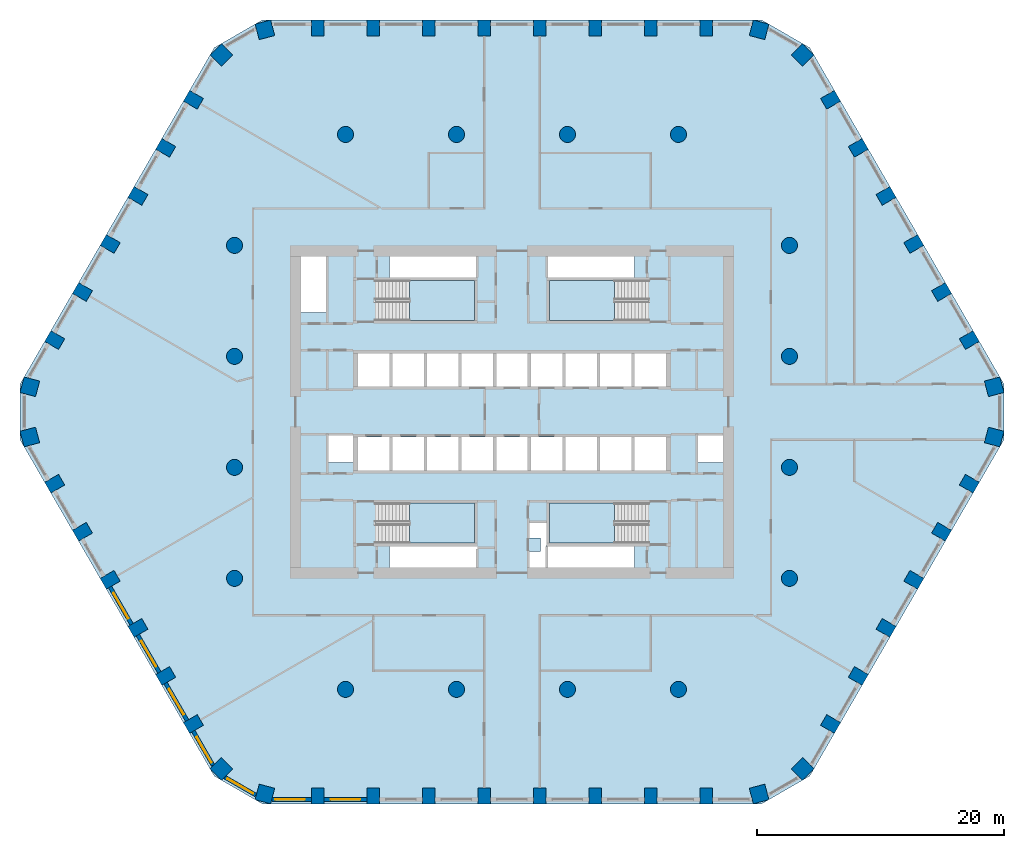
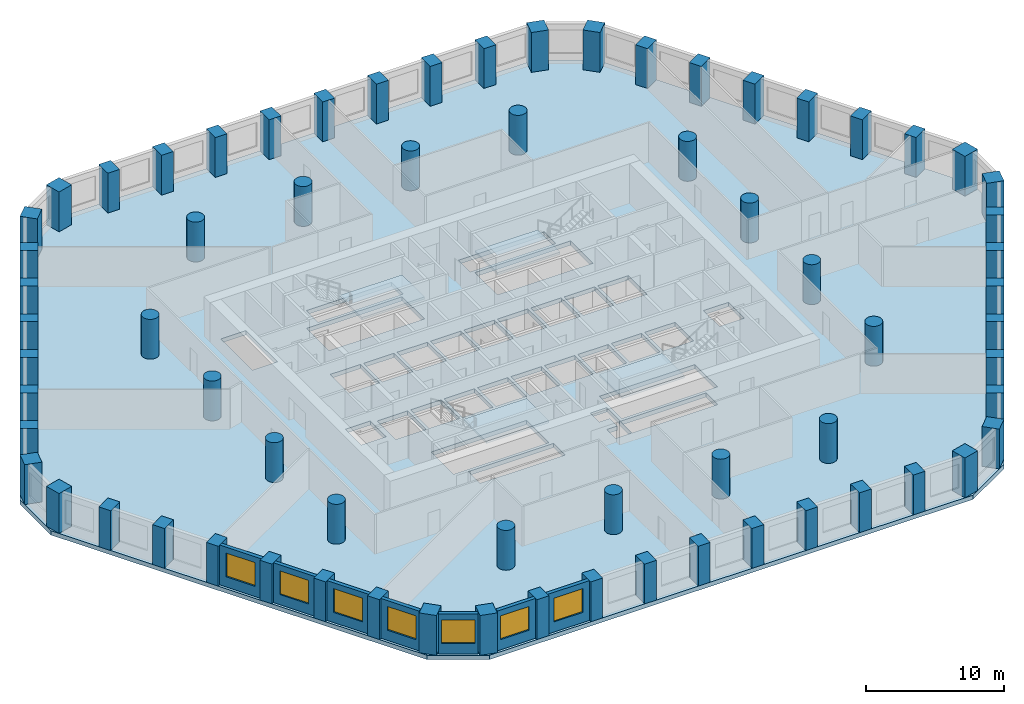
# One storey, part 1 of 10: 68 columns, 7 walls, 7 windows, 5 slabs, 7 openings, 4 elements without a shape of their own.
"""IFC4 building model written with IfcOpenShell, lengths in metres."""

from ifc_helpers import new_model, si_unit, direction, frame, frame_2d, origin, origin_2d, place, context, subcontext, project, spatial, polyline, rectangle, circle, outline, extrude, material, layer, layer_set, material_profile, profile_set, type_object, element, fill, aggregate, save


model = new_model("IFC4")

# Units and contexts
model_context = context("Model", 3, precision=1e-05, world=origin(), true_north=direction((0.0, 1.0)))
body_context = subcontext(model_context, "Body", "Model", "MODEL_VIEW")
ifc_project = project(units=[si_unit("LENGTHUNIT", "METRE"), si_unit("AREAUNIT", "SQUARE_METRE"), si_unit("VOLUMEUNIT", "CUBIC_METRE"), si_unit("PLANEANGLEUNIT", "RADIAN"), si_unit("MASSUNIT", "GRAM", prefix="KILO")], contexts=[model_context])

# Site, building, storey
site_placement = place(None, origin())
site = spatial("IfcSite", under=ifc_project, at=site_placement, CompositionType="ELEMENT")
building_placement = place(site_placement, origin())
building = spatial("IfcBuilding", under=site, at=building_placement, Name="Dhurran Vertical Campus", CompositionType="ELEMENT")
storey_placement = place(building_placement, frame((0.0, 0.0, 89.10009765625)))
storey = spatial("IfcBuildingStorey", under=building, at=storey_placement, Name="L21", CompositionType="ELEMENT", Elevation=89.10009765625)

# Columns
ifc_material_1 = material(Name="Concrete C60/75", Category="concrete")
ifc_material_profile_1 = material_profile(ifc_material_1, rectangle(XDim=1.0, YDim=1.300048828125, at=origin_2d()), Name="RC 1000x1300")
ifc_profile_set_1 = profile_set([ifc_material_profile_1], Name="Concrete C60/75")
column_type_1 = type_object("IfcColumnType", Name="FR COL RC 1000x1300 C60/75", PredefinedType="COLUMN", material=ifc_profile_set_1)
for number, where, z_axis, x_axis, name in (
    (1, (-15.75, -31.1298828125, 0.0), (0.0, 0.0, 1.0), (1.0, 0.0, 0.0), "Perimeter pier PP2.01"),
    (2, (-11.25, -31.1298828125, 0.0), (0.0, 0.0, 1.0), (1.0, 0.0, 0.0), "Perimeter pier PP2.02"),
    (3, (-6.75, -31.1298828125, 0.0), (0.0, 0.0, 1.0), (1.0, 0.0, 0.0), "Perimeter pier PP2.03"),
    (4, (-2.25, -31.1298828125, 0.0), (0.0, 0.0, 1.0), (1.0, 0.0, 0.0), "Perimeter pier PP2.04"),
    (5, (2.25, -31.1298828125, 0.0), (0.0, 0.0, 1.0), (1.0, 0.0, 0.0), "Perimeter pier PP2.05"),
    (6, (6.75, -31.1298828125, 0.0), (0.0, 0.0, 1.0), (1.0, 0.0, 0.0), "Perimeter pier PP2.06"),
    (7, (11.25, -31.1298828125, 0.0), (0.0, 0.0, 1.0), (1.0, 0.0, 0.0), "Perimeter pier PP2.07"),
    (8, (15.75, -31.1298828125, 0.0), (0.0, 0.0, 1.0), (1.0, 0.0, 0.0), "Perimeter pier PP2.08"),
    (9, (25.834228515625, -25.3076171875, 0.0), (0.0, 0.0, 1.0), (0.5, 0.866025403784, 0.0), "Perimeter pier PP2.11"),
    (10, (28.084228515625, -21.41064453125, 0.0), (0.0, 0.0, 1.0), (0.5, 0.866025403784, 0.0), "Perimeter pier PP2.12"),
    (11, (30.334228515625, -17.513427734375, 0.0), (0.0, 0.0, 1.0), (0.5, 0.866025403784, 0.0), "Perimeter pier PP2.13"),
    (12, (32.584228515625, -13.6162109375, 0.0), (0.0, 0.0, 1.0), (0.5, 0.866025403784, 0.0), "Perimeter pier PP2.14"),
    (13, (34.834228515625, -9.71923828125, 0.0), (0.0, 0.0, 1.0), (0.5, 0.866025403784, 0.0), "Perimeter pier PP2.15"),
    (14, (37.084228515625, -5.822021484375, 0.0), (0.0, 0.0, 1.0), (0.5, 0.866025403784, 0.0), "Perimeter pier PP2.16"),
    (15, (37.084228515625, 5.822021484375, 0.0), (0.0, 0.0, 1.0), (-0.5, 0.866025403784, 0.0), "Perimeter pier PP2.19"),
    (16, (34.834228515625, 9.71923828125, 0.0), (0.0, 0.0, 1.0), (-0.5, 0.866025403784, 0.0), "Perimeter pier PP2.20"),
    (17, (32.584228515625, 13.6162109375, 0.0), (0.0, 0.0, 1.0), (-0.5, 0.866025403784, 0.0), "Perimeter pier PP2.21"),
    (18, (30.334228515625, 17.513427734375, 0.0), (0.0, 0.0, 1.0), (-0.5, 0.866025403784, 0.0), "Perimeter pier PP2.22"),
    (19, (28.084228515625, 21.41064453125, 0.0), (0.0, 0.0, 1.0), (-0.5, 0.866025403784, 0.0), "Perimeter pier PP2.23"),
    (20, (25.834228515625, 25.3076171875, 0.0), (0.0, 0.0, 1.0), (-0.5, 0.866025403784, 0.0), "Perimeter pier PP2.24"),
    (21, (15.75, 31.1298828125, 0.0), (0.0, 0.0, 1.0), (-1.0, 0.0, 0.0), "Perimeter pier PP2.27"),
    (22, (11.25, 31.1298828125, 0.0), (0.0, 0.0, 1.0), (-1.0, 0.0, 0.0), "Perimeter pier PP2.28"),
    (23, (6.75, 31.1298828125, 0.0), (0.0, 0.0, 1.0), (-1.0, 0.0, 0.0), "Perimeter pier PP2.29"),
    (24, (2.25, 31.1298828125, 0.0), (0.0, 0.0, 1.0), (-1.0, 0.0, 0.0), "Perimeter pier PP2.30"),
    (25, (-2.25, 31.1298828125, 0.0), (0.0, 0.0, 1.0), (-1.0, 0.0, 0.0), "Perimeter pier PP2.31"),
    (26, (-6.75, 31.1298828125, 0.0), (0.0, 0.0, 1.0), (-1.0, 0.0, 0.0), "Perimeter pier PP2.32"),
    (27, (-11.25, 31.1298828125, 0.0), (0.0, 0.0, 1.0), (-1.0, 0.0, 0.0), "Perimeter pier PP2.33"),
    (28, (-15.75, 31.1298828125, 0.0), (0.0, 0.0, 1.0), (-1.0, 0.0, 0.0), "Perimeter pier PP2.34"),
    (29, (-25.834228515625, 25.3076171875, 0.0), (0.0, 0.0, 1.0), (-0.5, -0.866025403784, 0.0), "Perimeter pier PP2.37"),
    (30, (-28.084228515625, 21.41064453125, 0.0), (0.0, 0.0, 1.0), (-0.5, -0.866025403784, 0.0), "Perimeter pier PP2.38"),
    (31, (-30.334228515625, 17.513427734375, 0.0), (0.0, 0.0, 1.0), (-0.5, -0.866025403784, 0.0), "Perimeter pier PP2.39"),
    (32, (-32.584228515625, 13.6162109375, 0.0), (0.0, 0.0, 1.0), (-0.5, -0.866025403784, 0.0), "Perimeter pier PP2.40"),
    (33, (-34.834228515625, 9.71923828125, 0.0), (0.0, 0.0, 1.0), (-0.5, -0.866025403784, 0.0), "Perimeter pier PP2.41"),
    (34, (-37.084228515625, 5.822021484375, 0.0), (0.0, 0.0, 1.0), (-0.5, -0.866025403784, 0.0), "Perimeter pier PP2.42"),
    (35, (-37.084228515625, -5.822021484375, 0.0), (0.0, 0.0, 1.0), (0.5, -0.866025403784, 0.0), "Perimeter pier PP2.45"),
    (36, (-34.834228515625, -9.71923828125, 0.0), (0.0, 0.0, 1.0), (0.5, -0.866025403784, 0.0), "Perimeter pier PP2.46"),
    (37, (-32.584228515625, -13.6162109375, 0.0), (0.0, 0.0, 1.0), (0.5, -0.866025403784, 0.0), "Perimeter pier PP2.47"),
    (38, (-30.334228515625, -17.513427734375, 0.0), (0.0, 0.0, 1.0), (0.5, -0.866025403784, 0.0), "Perimeter pier PP2.48"),
    (39, (-28.084228515625, -21.41064453125, 0.0), (0.0, 0.0, 1.0), (0.5, -0.866025403784, 0.0), "Perimeter pier PP2.49"),
    (40, (-25.834228515625, -25.3076171875, 0.0), (0.0, 0.0, 1.0), (0.5, -0.866025403784, 0.0), "Perimeter pier PP2.50"),
):
    element("IfcColumn", number, at=place(storey_placement, frame(where, z_axis=z_axis, x_axis=x_axis)), inside=storey, type_object=column_type_1, Name=name, PredefinedType="COLUMN", context=body_context, shape_type="SweptSolid", body=[
        extrude(rectangle(XDim=1.0, YDim=1.300048828125, at=origin_2d()), origin(), (0.0, 0.0, 1.0), 3.52490234375),
    ])
ifc_material_2 = material(Name="Concrete C60/75", Category="concrete")
ifc_material_profile_2 = material_profile(ifc_material_2, rectangle(XDim=1.300048828125, YDim=1.300048828125, at=origin_2d()), Name="RC 1300x1300")
ifc_profile_set_2 = profile_set([ifc_material_profile_2], Name="Concrete C60/75")
column_type_2 = type_object("IfcColumnType", Name="FR COL RC 1300x1300 C60/75", PredefinedType="COLUMN", material=ifc_profile_set_2)
for number, where, z_axis, x_axis, name in (
    (41, (-20.03662109375, -30.983642578125, 0.0), (0.0, 0.0, 1.0), (0.965925826289, -0.258819045103, 0.0), "Perimeter pier PP2.00"),
    (42, (20.03662109375, -30.983642578125, 0.0), (0.0, 0.0, 1.0), (0.965925826289, 0.258819045103, 0.0), "Perimeter pier PP2.09"),
    (43, (23.564208984375, -28.947021484375, 0.0), (0.0, 0.0, 1.0), (0.707106781187, 0.707106781187, 0.0), "Perimeter pier PP2.10"),
    (44, (39.10107421875, -2.03662109375, 0.0), (0.0, 0.0, 1.0), (0.258819045103, 0.965925826289, 0.0), "Perimeter pier PP2.17"),
    (45, (39.10107421875, 2.03662109375, 0.0), (0.0, 0.0, 1.0), (-0.258819045103, 0.965925826289, 0.0), "Perimeter pier PP2.18"),
    (46, (23.564208984375, 28.947021484375, 0.0), (0.0, 0.0, 1.0), (-0.707106781187, 0.707106781187, 0.0), "Perimeter pier PP2.25"),
    (47, (20.03662109375, 30.983642578125, 0.0), (0.0, 0.0, 1.0), (-0.965925826289, 0.258819045103, 0.0), "Perimeter pier PP2.26"),
    (48, (-20.03662109375, 30.983642578125, 0.0), (0.0, 0.0, 1.0), (-0.965925826289, -0.258819045103, 0.0), "Perimeter pier PP2.35"),
    (49, (-23.564208984375, 28.947021484375, 0.0), (0.0, 0.0, 1.0), (-0.707106781187, -0.707106781187, 0.0), "Perimeter pier PP2.36"),
    (50, (-39.10107421875, 2.03662109375, 0.0), (0.0, 0.0, 1.0), (-0.258819045103, -0.965925826289, 0.0), "Perimeter pier PP2.43"),
    (51, (-39.10107421875, -2.03662109375, 0.0), (0.0, 0.0, 1.0), (0.258819045103, -0.965925826289, 0.0), "Perimeter pier PP2.44"),
    (52, (-23.564208984375, -28.947021484375, 0.0), (0.0, 0.0, 1.0), (0.707106781187, -0.707106781187, 0.0), "Perimeter pier PP2.51"),
):
    element("IfcColumn", number, at=place(storey_placement, frame(where, z_axis=z_axis, x_axis=x_axis)), inside=storey, type_object=column_type_2, Name=name, PredefinedType="COLUMN", context=body_context, shape_type="SweptSolid", body=[
        extrude(rectangle(XDim=1.300048828125, YDim=1.300048828125, at=origin_2d()), origin(), (0.0, 0.0, 1.0), 3.52490234375),
    ])
ifc_material_3 = material(Name="Concrete C60/75", Category="concrete")
ifc_material_profile_3 = material_profile(ifc_material_3, circle(Radius=0.64990234375, at=origin_2d()), Name="RCC D1300")
ifc_profile_set_3 = profile_set([ifc_material_profile_3], Name="Concrete C60/75")
column_type_3 = type_object("IfcColumnType", Name="FR COL RCC D1300 C60/75", PredefinedType="COLUMN", material=ifc_profile_set_3)
for number, where, z_axis, x_axis, name in (
    (53, (-22.5, -13.5, 0.0), (0.0, 0.0, 1.0), (1.0, 0.0, 0.0), "Inner column IC2-D4"),
    (54, (-22.5, -4.5, 0.0), (0.0, 0.0, 1.0), (1.0, 0.0, 0.0), "Inner column IC2-D5"),
    (55, (-22.5, 4.5, 0.0), (0.0, 0.0, 1.0), (1.0, 0.0, 0.0), "Inner column IC2-D6"),
    (56, (-22.5, 13.5, 0.0), (0.0, 0.0, 1.0), (1.0, 0.0, 0.0), "Inner column IC2-D7"),
    (57, (-13.5, -22.5, 0.0), (0.0, 0.0, 1.0), (1.0, 0.0, 0.0), "Inner column IC2-E3"),
    (58, (-13.5, 22.5, 0.0), (0.0, 0.0, 1.0), (1.0, 0.0, 0.0), "Inner column IC2-E8"),
    (59, (-4.5, -22.5, 0.0), (0.0, 0.0, 1.0), (1.0, 0.0, 0.0), "Inner column IC2-F3"),
    (60, (-4.5, 22.5, 0.0), (0.0, 0.0, 1.0), (1.0, 0.0, 0.0), "Inner column IC2-F8"),
    (61, (4.5, -22.5, 0.0), (0.0, 0.0, 1.0), (1.0, 0.0, 0.0), "Inner column IC2-G3"),
    (62, (4.5, 22.5, 0.0), (0.0, 0.0, 1.0), (1.0, 0.0, 0.0), "Inner column IC2-G8"),
    (63, (13.5, -22.5, 0.0), (0.0, 0.0, 1.0), (1.0, 0.0, 0.0), "Inner column IC2-H3"),
    (64, (13.5, 22.5, 0.0), (0.0, 0.0, 1.0), (1.0, 0.0, 0.0), "Inner column IC2-H8"),
    (65, (22.5, -13.5, 0.0), (0.0, 0.0, 1.0), (1.0, 0.0, 0.0), "Inner column IC2-J4"),
    (66, (22.5, -4.5, 0.0), (0.0, 0.0, 1.0), (1.0, 0.0, 0.0), "Inner column IC2-J5"),
    (67, (22.5, 4.5, 0.0), (0.0, 0.0, 1.0), (1.0, 0.0, 0.0), "Inner column IC2-J6"),
    (68, (22.5, 13.5, 0.0), (0.0, 0.0, 1.0), (1.0, 0.0, 0.0), "Inner column IC2-J7"),
):
    element("IfcColumn", number, at=place(storey_placement, frame(where, z_axis=z_axis, x_axis=x_axis)), inside=storey, type_object=column_type_3, Name=name, PredefinedType="COLUMN", context=body_context, shape_type="SweptSolid", body=[
        extrude(circle(Radius=0.64990234375, at=origin_2d()), origin(), (0.0, 0.0, 1.0), 3.52490234375),
    ])

# Slab
ifc_material_4 = material(Name="Concrete C40/50", Category="concrete")
ifc_layer_1 = layer(ifc_material_4, 0.375)
ifc_layer_set_1 = layer_set([ifc_layer_1], Name="Concrete C40/50")
slab_type_1 = type_object("IfcSlabType", Name="FR POST-TENSIONED FLAT SLAB 375", PredefinedType="FLOOR", material=ifc_layer_set_1)
slab_1_placement = place(storey_placement, frame((0.0, 0.0, -0.375)))
element("IfcSlab", 69, at=slab_1_placement, inside=storey, type_object=slab_type_1, Name="Floor slab L21", PredefinedType="FLOOR", context=body_context, shape_type="SweptSolid", body=[
    extrude(outline(polyline([(-20.25, -31.77978515625), (20.25, -31.77978515625), (24.147216796875, -29.52978515625), (39.897216796875, -2.25), (39.897216796875, 2.25), (24.147216796875, 29.52978515625), (20.25, 31.77978515625), (-20.25, 31.77978515625), (-24.147216796875, 29.52978515625), (-39.897216796875, 2.25), (-39.897216796875, -2.25), (-24.147216796875, -29.52978515625), (-20.25, -31.77978515625)]), holes=[polyline([(-12.47509765625, 2.050048828125), (-9.925048828125, 2.050048828125), (-9.925048828125, 4.75), (-12.47509765625, 4.75), (-12.47509765625, 2.050048828125)]), polyline([(-9.675048828125, 2.050048828125), (-7.125, 2.050048828125), (-7.125, 4.75), (-9.675048828125, 4.75), (-9.675048828125, 2.050048828125)]), polyline([(-6.875, 2.050048828125), (-4.324951171875, 2.050048828125), (-4.324951171875, 4.75), (-6.875, 4.75), (-6.875, 2.050048828125)]), polyline([(-1.27490234375, 2.050048828125), (1.27490234375, 2.050048828125), (1.27490234375, 4.75), (-1.27490234375, 4.75), (-1.27490234375, 2.050048828125)]), polyline([(9.925048828125, 2.050048828125), (12.47509765625, 2.050048828125), (12.47509765625, 4.75), (9.925048828125, 4.75), (9.925048828125, 2.050048828125)]), polyline([(-1.27490234375, -4.75), (1.27490234375, -4.75), (1.27490234375, -2.050048828125), (-1.27490234375, -2.050048828125), (-1.27490234375, -4.75)]), polyline([(1.52490234375, -4.75), (4.074951171875, -4.75), (4.074951171875, -2.050048828125), (1.52490234375, -2.050048828125), (1.52490234375, -4.75)]), polyline([(4.324951171875, -4.75), (6.875, -4.75), (6.875, -2.050048828125), (4.324951171875, -2.050048828125), (4.324951171875, -4.75)]), polyline([(7.125, -4.75), (9.675048828125, -4.75), (9.675048828125, -2.050048828125), (7.125, -2.050048828125), (7.125, -4.75)]), polyline([(9.925048828125, -4.75), (12.47509765625, -4.75), (12.47509765625, -2.050048828125), (9.925048828125, -2.050048828125), (9.925048828125, -4.75)]), polyline([(-4.074951171875, 2.050048828125), (-1.52490234375, 2.050048828125), (-1.52490234375, 4.75), (-4.074951171875, 4.75), (-4.074951171875, 2.050048828125)]), polyline([(1.52490234375, 2.050048828125), (4.074951171875, 2.050048828125), (4.074951171875, 4.75), (1.52490234375, 4.75), (1.52490234375, 2.050048828125)]), polyline([(4.324951171875, 2.050048828125), (6.875, 2.050048828125), (6.875, 4.75), (4.324951171875, 4.75), (4.324951171875, 2.050048828125)]), polyline([(7.125, 2.050048828125), (9.675048828125, 2.050048828125), (9.675048828125, 4.75), (7.125, 4.75), (7.125, 2.050048828125)]), polyline([(-12.47509765625, -4.75), (-9.925048828125, -4.75), (-9.925048828125, -2.050048828125), (-12.47509765625, -2.050048828125), (-12.47509765625, -4.75)]), polyline([(-9.675048828125, -4.75), (-7.125, -4.75), (-7.125, -2.050048828125), (-9.675048828125, -2.050048828125), (-9.675048828125, -4.75)]), polyline([(-6.875, -4.75), (-4.324951171875, -4.75), (-4.324951171875, -2.050048828125), (-6.875, -2.050048828125), (-6.875, -4.75)]), polyline([(-4.074951171875, -4.75), (-1.52490234375, -4.75), (-1.52490234375, -2.050048828125), (-4.074951171875, -2.050048828125), (-4.074951171875, -4.75)]), polyline([(-11.050048828125, 7.39990234375), (-3.050048828125, 7.39990234375), (-3.050048828125, 10.64990234375), (-11.050048828125, 10.64990234375), (-11.050048828125, 7.39990234375)]), polyline([(3.050048828125, 7.39990234375), (11.050048828125, 7.39990234375), (11.050048828125, 10.64990234375), (3.050048828125, 10.64990234375), (3.050048828125, 7.39990234375)]), polyline([(-11.050048828125, -10.64990234375), (-3.050048828125, -10.64990234375), (-3.050048828125, -7.39990234375), (-11.050048828125, -7.39990234375), (-11.050048828125, -10.64990234375)]), polyline([(3.050048828125, -10.64990234375), (11.050048828125, -10.64990234375), (11.050048828125, -7.39990234375), (3.050048828125, -7.39990234375), (3.050048828125, -10.64990234375)]), polyline([(-9.949951171875, 10.89990234375), (-9.949951171875, 12.60009765625), (-2.800048828125, 12.60009765625), (-2.800048828125, 10.89990234375), (-9.949951171875, 10.89990234375)]), polyline([(9.949951171875, 12.60009765625), (9.949951171875, 10.89990234375), (2.800048828125, 10.89990234375), (2.800048828125, 12.60009765625), (9.949951171875, 12.60009765625)]), polyline([(-9.949951171875, -12.60009765625), (-9.949951171875, -10.89990234375), (-2.800048828125, -10.89990234375), (-2.800048828125, -12.60009765625), (-9.949951171875, -12.60009765625)]), polyline([(9.949951171875, -10.89990234375), (9.949951171875, -12.60009765625), (2.800048828125, -12.60009765625), (2.800048828125, -10.89990234375), (9.949951171875, -10.89990234375)]), polyline([(-12.89990234375, -4.10009765625), (-15.0, -4.10009765625), (-15.0, -1.800048828125), (-12.89990234375, -1.800048828125), (-12.89990234375, -4.10009765625)]), polyline([(-15.0, 8.050048828125), (-17.10009765625, 8.050048828125), (-17.10009765625, 12.60009765625), (-15.0, 12.60009765625), (-15.0, 8.050048828125)]), polyline([(17.10009765625, -4.10009765625), (15.0, -4.10009765625), (15.0, -1.800048828125), (17.10009765625, -1.800048828125), (17.10009765625, -4.10009765625)]), polyline([(2.800048828125, -10.85009765625), (2.75, -10.85009765625), (2.75, -12.60009765625), (1.39990234375, -12.60009765625), (1.39990234375, -11.3125), (2.300048828125, -11.3125), (2.300048828125, -10.21240234375), (1.39990234375, -10.21240234375), (1.39990234375, -8.925048828125), (2.800048828125, -8.925048828125), (2.800048828125, -10.85009765625)])]), origin(), (0.0, 0.0, 1.0), 0.375),
])

# Stair, slab
ifc_material_5 = material(Name="Concrete C40/50", Category="concrete")
stair_type = type_object("IfcStairType", Name="co-ST-CORE", PredefinedType="HALF_TURN_STAIR", material=ifc_material_5)
stair_1_placement = place(storey_placement, origin())
stair_1 = element("IfcStair", 70, at=stair_1_placement, inside=storey, type_object=stair_type, Name="L21 Protected exit stair ST1", PredefinedType="HALF_TURN_STAIR")
ifc_material_6 = material(Name="Concrete C40/50", Category="concrete")
ifc_layer_2 = layer(ifc_material_6, 0.199951171875)
ifc_layer_set_2 = layer_set([ifc_layer_2], Name="Concrete C40/50")
slab_type_2 = type_object("IfcSlabType", Name="co-SL-LANDING", PredefinedType="LANDING", material=ifc_layer_set_2)
slab_2_placement = place(storey_placement, frame((0.0, 0.0, 1.75)))
slab_2 = element("IfcSlab", 71, at=slab_2_placement, type_object=slab_type_2, Name="ST1 landing 1", PredefinedType="LANDING", context=body_context, shape_type="SweptSolid", body=[
    extrude(outline(polyline([(-8.300048828125, 7.39990234375), (-3.050048828125, 7.39990234375), (-3.050048828125, 10.64990234375), (-8.300048828125, 10.64990234375), (-8.300048828125, 7.39990234375)])), origin(), (0.0, 0.0, 1.0), 0.199951171875),
])
aggregate(stair_1, [slab_2])

stair_2_placement = place(storey_placement, origin())
stair_2 = element("IfcStair", 72, at=stair_2_placement, inside=storey, type_object=stair_type, Name="L21 Protected exit stair ST2", PredefinedType="HALF_TURN_STAIR")
slab_3_placement = place(storey_placement, frame((0.0, 0.0, 1.75)))
slab_3 = element("IfcSlab", 73, at=slab_3_placement, type_object=slab_type_2, Name="ST2 landing 1", PredefinedType="LANDING", context=body_context, shape_type="SweptSolid", body=[
    extrude(outline(polyline([(8.300048828125, 10.64990234375), (3.050048828125, 10.64990234375), (3.050048828125, 7.39990234375), (8.300048828125, 7.39990234375), (8.300048828125, 10.64990234375)])), origin(), (0.0, 0.0, 1.0), 0.199951171875),
])
aggregate(stair_2, [slab_3])

stair_3_placement = place(storey_placement, origin())
stair_3 = element("IfcStair", 74, at=stair_3_placement, inside=storey, type_object=stair_type, Name="L21 Protected exit stair ST3", PredefinedType="HALF_TURN_STAIR")
slab_4_placement = place(storey_placement, frame((0.0, 0.0, 1.75)))
slab_4 = element("IfcSlab", 75, at=slab_4_placement, type_object=slab_type_2, Name="ST3 landing 1", PredefinedType="LANDING", context=body_context, shape_type="SweptSolid", body=[
    extrude(outline(polyline([(-8.300048828125, -10.64990234375), (-3.050048828125, -10.64990234375), (-3.050048828125, -7.39990234375), (-8.300048828125, -7.39990234375), (-8.300048828125, -10.64990234375)])), origin(), (0.0, 0.0, 1.0), 0.199951171875),
])
aggregate(stair_3, [slab_4])

stair_4_placement = place(storey_placement, origin())
stair_4 = element("IfcStair", 76, at=stair_4_placement, inside=storey, type_object=stair_type, Name="L21 Protected exit stair ST4", PredefinedType="HALF_TURN_STAIR")
slab_5_placement = place(storey_placement, frame((0.0, 0.0, 1.75)))
slab_5 = element("IfcSlab", 77, at=slab_5_placement, type_object=slab_type_2, Name="ST4 landing 1", PredefinedType="LANDING", context=body_context, shape_type="SweptSolid", body=[
    extrude(outline(polyline([(8.300048828125, -7.39990234375), (3.050048828125, -7.39990234375), (3.050048828125, -10.64990234375), (8.300048828125, -10.64990234375), (8.300048828125, -7.39990234375)])), origin(), (0.0, 0.0, 1.0), 0.199951171875),
])
aggregate(stair_4, [slab_5])

# Wall, opening, window
ifc_material_7 = material(Name="Precast concrete C50/60", Category="concrete")
ifc_layer_3 = layer(ifc_material_7, 0.300048828125)
ifc_layer_set_3 = layer_set([ifc_layer_3], Name="Precast concrete C50/60")
wall_type = type_object("IfcWallType", Name="Precast spandrel wall 300", PredefinedType="SOLIDWALL", material=ifc_layer_set_3)
wall_1_placement = place(storey_placement, frame((-19.44287109375, -31.4296875, 0.0), z_axis=(0.0, 0.0, 1.0), x_axis=(1.0, 0.0, 0.0)))
wall_1 = element("IfcWall", 78, at=wall_1_placement, inside=storey, type_object=wall_type, Name="EW1 L21.00", PredefinedType="SOLIDWALL", context=body_context, shape_type="SweptSolid", body=[
    extrude(rectangle(XDim=3.1923828125, YDim=0.300048828125, at=frame_2d((1.59619140625, 0.0))), origin(), (0.0, 0.0, 1.0), 3.52490234375),
])
opening_1_placement = place(wall_1_placement, frame((0.242919921875, 0.0, 0.89990234375)))
opening_1 = element("IfcOpeningElement", 79, at=opening_1_placement, cuts=wall_1, Name="Opening WT1", PredefinedType="OPENING", context=body_context, shape_type="SweptSolid", body=[
    extrude(rectangle(XDim=2.39990234375, YDim=2.10009765625, at=frame_2d((1.199951171875, 1.050048828125))), frame((0.0, 0.159912109375, 0.0), z_axis=(0.0, -1.0, 0.0), x_axis=(1.0, 0.0, 0.0)), (0.0, 0.0, 1.0), 0.320068359375),
])
ifc_material_8 = material(Name="Aluminium frame with solar-control glass", Category="aluminium")
window_type = type_object("IfcWindowType", Name="Punched window 2400 x 2100", PartitioningType="SINGLE_PANEL", PredefinedType="WINDOW", material=ifc_material_8)
window_1_placement = place(opening_1_placement, origin())
window_1 = element("IfcWindow", 80, at=window_1_placement, inside=storey, type_object=window_type, Name="WT1 L21.00", OverallHeight=2.10009765625, OverallWidth=2.39990234375, PartitioningType="SINGLE_PANEL", PredefinedType="WINDOW", context=body_context, shape_type="SweptSolid", body=[
    extrude(rectangle(XDim=2.39990234375, YDim=2.10009765625, at=frame_2d((1.199951171875, 1.050048828125))), frame((0.0, 0.030029296875, 0.0), z_axis=(0.0, -1.0, 0.0), x_axis=(1.0, 0.0, 0.0)), (0.0, 0.0, 1.0), 0.06005859375),
])
fill(opening_1, window_1)

wall_2_placement = place(storey_placement, frame((-15.24951171875, -31.4296875, 0.0), z_axis=(0.0, 0.0, 1.0), x_axis=(1.0, 0.0, 0.0)))
wall_2 = element("IfcWall", 81, at=wall_2_placement, inside=storey, type_object=wall_type, Name="EW1 L21.01", PredefinedType="SOLIDWALL", context=body_context, shape_type="SweptSolid", body=[
    extrude(rectangle(XDim=3.4990234375, YDim=0.300048828125, at=frame_2d((1.74951171875, 0.0))), origin(), (0.0, 0.0, 1.0), 3.52490234375),
])
opening_2_placement = place(wall_2_placement, frame((0.549560546875, 0.0, 0.89990234375)))
opening_2 = element("IfcOpeningElement", 82, at=opening_2_placement, cuts=wall_2, Name="Opening WT1", PredefinedType="OPENING", context=body_context, shape_type="SweptSolid", body=[
    extrude(rectangle(XDim=2.39990234375, YDim=2.10009765625, at=frame_2d((1.199951171875, 1.050048828125))), frame((0.0, 0.159912109375, 0.0), z_axis=(0.0, -1.0, 0.0), x_axis=(1.0, 0.0, 0.0)), (0.0, 0.0, 1.0), 0.320068359375),
])
window_2_placement = place(opening_2_placement, origin())
window_2 = element("IfcWindow", 83, at=window_2_placement, inside=storey, type_object=window_type, Name="WT1 L21.01", OverallHeight=2.10009765625, OverallWidth=2.39990234375, PartitioningType="SINGLE_PANEL", PredefinedType="WINDOW", context=body_context, shape_type="SweptSolid", body=[
    extrude(rectangle(XDim=2.39990234375, YDim=2.10009765625, at=frame_2d((1.199951171875, 1.050048828125))), frame((0.0, 0.030029296875, 0.0), z_axis=(0.0, -1.0, 0.0), x_axis=(1.0, 0.0, 0.0)), (0.0, 0.0, 1.0), 0.06005859375),
])
fill(opening_2, window_2)

wall_3_placement = place(storey_placement, frame((-32.59375, -14.19970703125, 0.0), z_axis=(0.0, 0.0, 1.0), x_axis=(0.499996256241, -0.866027565234, 0.0)))
wall_3 = element("IfcWall", 84, at=wall_3_placement, inside=storey, type_object=wall_type, Name="EW1 L21.47", PredefinedType="SOLIDWALL", context=body_context, shape_type="SweptSolid", body=[
    extrude(rectangle(XDim=3.4990234375, YDim=0.300048828125, at=frame_2d((1.74951171875, 0.0))), origin(), (0.0, 0.0, 1.0), 3.52490234375),
])
opening_3_placement = place(wall_3_placement, frame((0.549560546875, 0.0, 0.89990234375)))
opening_3 = element("IfcOpeningElement", 85, at=opening_3_placement, cuts=wall_3, Name="Opening WT1", PredefinedType="OPENING", context=body_context, shape_type="SweptSolid", body=[
    extrude(rectangle(XDim=2.39990234375, YDim=2.10009765625, at=frame_2d((1.199951171875, 1.050048828125))), frame((0.0, 0.159912109375, 0.0), z_axis=(0.0, -1.0, 0.0), x_axis=(1.0, 0.0, 0.0)), (0.0, 0.0, 1.0), 0.320068359375),
])
window_3_placement = place(opening_3_placement, origin())
window_3 = element("IfcWindow", 86, at=window_3_placement, inside=storey, type_object=window_type, Name="WT1 L21.47", OverallHeight=2.10009765625, OverallWidth=2.39990234375, PartitioningType="SINGLE_PANEL", PredefinedType="WINDOW", context=body_context, shape_type="SweptSolid", body=[
    extrude(rectangle(XDim=2.39990234375, YDim=2.10009765625, at=frame_2d((1.199951171875, 1.050048828125))), frame((0.0, 0.030029296875, 0.0), z_axis=(0.0, -1.0, 0.0), x_axis=(1.0, 0.0, 0.0)), (0.0, 0.0, 1.0), 0.06005859375),
])
fill(opening_3, window_3)

wall_4_placement = place(storey_placement, frame((-30.34375, -18.096923828125, 0.0), z_axis=(0.0, 0.0, 1.0), x_axis=(0.499996256241, -0.866027565234, 0.0)))
wall_4 = element("IfcWall", 87, at=wall_4_placement, inside=storey, type_object=wall_type, Name="EW1 L21.48", PredefinedType="SOLIDWALL", context=body_context, shape_type="SweptSolid", body=[
    extrude(rectangle(XDim=3.4990234375, YDim=0.300048828125, at=frame_2d((1.74951171875, 0.0))), origin(), (0.0, 0.0, 1.0), 3.52490234375),
])
opening_4_placement = place(wall_4_placement, frame((0.549560546875, 0.0, 0.89990234375)))
opening_4 = element("IfcOpeningElement", 88, at=opening_4_placement, cuts=wall_4, Name="Opening WT1", PredefinedType="OPENING", context=body_context, shape_type="SweptSolid", body=[
    extrude(rectangle(XDim=2.39990234375, YDim=2.10009765625, at=frame_2d((1.199951171875, 1.050048828125))), frame((0.0, 0.159912109375, 0.0), z_axis=(0.0, -1.0, 0.0), x_axis=(1.0, 0.0, 0.0)), (0.0, 0.0, 1.0), 0.320068359375),
])
window_4_placement = place(opening_4_placement, origin())
window_4 = element("IfcWindow", 89, at=window_4_placement, inside=storey, type_object=window_type, Name="WT1 L21.48", OverallHeight=2.10009765625, OverallWidth=2.39990234375, PartitioningType="SINGLE_PANEL", PredefinedType="WINDOW", context=body_context, shape_type="SweptSolid", body=[
    extrude(rectangle(XDim=2.39990234375, YDim=2.10009765625, at=frame_2d((1.199951171875, 1.050048828125))), frame((0.0, 0.030029296875, 0.0), z_axis=(0.0, -1.0, 0.0), x_axis=(1.0, 0.0, 0.0)), (0.0, 0.0, 1.0), 0.06005859375),
])
fill(opening_4, window_4)

wall_5_placement = place(storey_placement, frame((-28.09375, -21.993896484375, 0.0), z_axis=(0.0, 0.0, 1.0), x_axis=(0.499996256241, -0.866027565234, 0.0)))
wall_5 = element("IfcWall", 90, at=wall_5_placement, inside=storey, type_object=wall_type, Name="EW1 L21.49", PredefinedType="SOLIDWALL", context=body_context, shape_type="SweptSolid", body=[
    extrude(rectangle(XDim=3.4990234375, YDim=0.300048828125, at=frame_2d((1.74951171875, 0.0))), origin(), (0.0, 0.0, 1.0), 3.52490234375),
])
opening_5_placement = place(wall_5_placement, frame((0.549560546875, 0.0, 0.89990234375)))
opening_5 = element("IfcOpeningElement", 91, at=opening_5_placement, cuts=wall_5, Name="Opening WT1", PredefinedType="OPENING", context=body_context, shape_type="SweptSolid", body=[
    extrude(rectangle(XDim=2.39990234375, YDim=2.10009765625, at=frame_2d((1.199951171875, 1.050048828125))), frame((0.0, 0.159912109375, 0.0), z_axis=(0.0, -1.0, 0.0), x_axis=(1.0, 0.0, 0.0)), (0.0, 0.0, 1.0), 0.320068359375),
])
window_5_placement = place(opening_5_placement, origin())
window_5 = element("IfcWindow", 92, at=window_5_placement, inside=storey, type_object=window_type, Name="WT1 L21.49", OverallHeight=2.10009765625, OverallWidth=2.39990234375, PartitioningType="SINGLE_PANEL", PredefinedType="WINDOW", context=body_context, shape_type="SweptSolid", body=[
    extrude(rectangle(XDim=2.39990234375, YDim=2.10009765625, at=frame_2d((1.199951171875, 1.050048828125))), frame((0.0, 0.030029296875, 0.0), z_axis=(0.0, -1.0, 0.0), x_axis=(1.0, 0.0, 0.0)), (0.0, 0.0, 1.0), 0.06005859375),
])
fill(opening_5, window_5)

wall_6_placement = place(storey_placement, frame((-25.84375, -25.89111328125, 0.0), z_axis=(0.0, 0.0, 1.0), x_axis=(0.500004907028, -0.866022570692, 0.0)))
wall_6 = element("IfcWall", 93, at=wall_6_placement, inside=storey, type_object=wall_type, Name="EW1 L21.50", PredefinedType="SOLIDWALL", context=body_context, shape_type="SweptSolid", body=[
    extrude(rectangle(XDim=3.1923828125, YDim=0.300048828125, at=frame_2d((1.59619140625, 0.0))), origin(), (0.0, 0.0, 1.0), 3.52490234375),
])
opening_6_placement = place(wall_6_placement, frame((0.549560546875, 0.0, 0.89990234375)))
opening_6 = element("IfcOpeningElement", 94, at=opening_6_placement, cuts=wall_6, Name="Opening WT1", PredefinedType="OPENING", context=body_context, shape_type="SweptSolid", body=[
    extrude(rectangle(XDim=2.39990234375, YDim=2.10009765625, at=frame_2d((1.199951171875, 1.050048828125))), frame((0.0, 0.159912109375, 0.0), z_axis=(0.0, -1.0, 0.0), x_axis=(1.0, 0.0, 0.0)), (0.0, 0.0, 1.0), 0.320068359375),
])
window_6_placement = place(opening_6_placement, origin())
window_6 = element("IfcWindow", 95, at=window_6_placement, inside=storey, type_object=window_type, Name="WT1 L21.50", OverallHeight=2.10009765625, OverallWidth=2.39990234375, PartitioningType="SINGLE_PANEL", PredefinedType="WINDOW", context=body_context, shape_type="SweptSolid", body=[
    extrude(rectangle(XDim=2.39990234375, YDim=2.10009765625, at=frame_2d((1.199951171875, 1.050048828125))), frame((0.0, 0.030029296875, 0.0), z_axis=(0.0, -1.0, 0.0), x_axis=(1.0, 0.0, 0.0)), (0.0, 0.0, 1.0), 0.06005859375),
])
fill(opening_6, window_6)

wall_7_placement = place(storey_placement, frame((-23.273193359375, -29.63037109375, 0.0), z_axis=(0.0, 0.0, 1.0), x_axis=(0.866053149362, -0.49995194017, 0.0)))
wall_7 = element("IfcWall", 96, at=wall_7_placement, inside=storey, type_object=wall_type, Name="EW1 L21.51", PredefinedType="SOLIDWALL", context=body_context, shape_type="SweptSolid", body=[
    extrude(rectangle(XDim=2.885498046875, YDim=0.300048828125, at=frame_2d((1.44287109375, 0.0))), origin(), (0.0, 0.0, 1.0), 3.52490234375),
])
opening_7_placement = place(wall_7_placement, frame((0.242919921875, 0.0, 0.89990234375)))
opening_7 = element("IfcOpeningElement", 97, at=opening_7_placement, cuts=wall_7, Name="Opening WT1", PredefinedType="OPENING", context=body_context, shape_type="SweptSolid", body=[
    extrude(rectangle(XDim=2.39990234375, YDim=2.10009765625, at=frame_2d((1.199951171875, 1.050048828125))), frame((0.0, 0.159912109375, 0.0), z_axis=(0.0, -1.0, 0.0), x_axis=(1.0, 0.0, 0.0)), (0.0, 0.0, 1.0), 0.320068359375),
])
window_7_placement = place(opening_7_placement, origin())
window_7 = element("IfcWindow", 98, at=window_7_placement, inside=storey, type_object=window_type, Name="WT1 L21.51", OverallHeight=2.10009765625, OverallWidth=2.39990234375, PartitioningType="SINGLE_PANEL", PredefinedType="WINDOW", context=body_context, shape_type="SweptSolid", body=[
    extrude(rectangle(XDim=2.39990234375, YDim=2.10009765625, at=frame_2d((1.199951171875, 1.050048828125))), frame((0.0, 0.030029296875, 0.0), z_axis=(0.0, -1.0, 0.0), x_axis=(1.0, 0.0, 0.0)), (0.0, 0.0, 1.0), 0.06005859375),
])
fill(opening_7, window_7)

save(model, "model.ifc")
